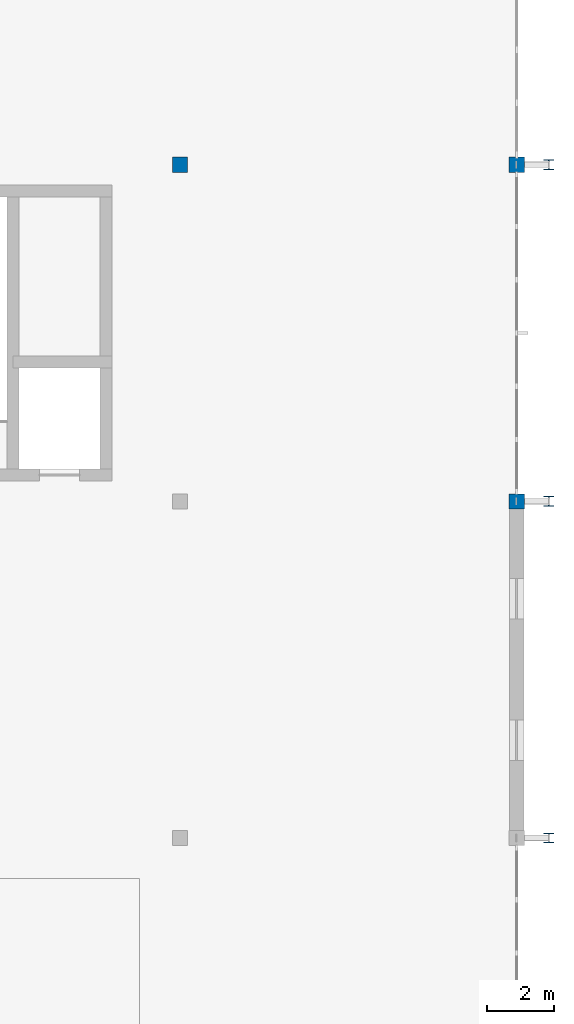
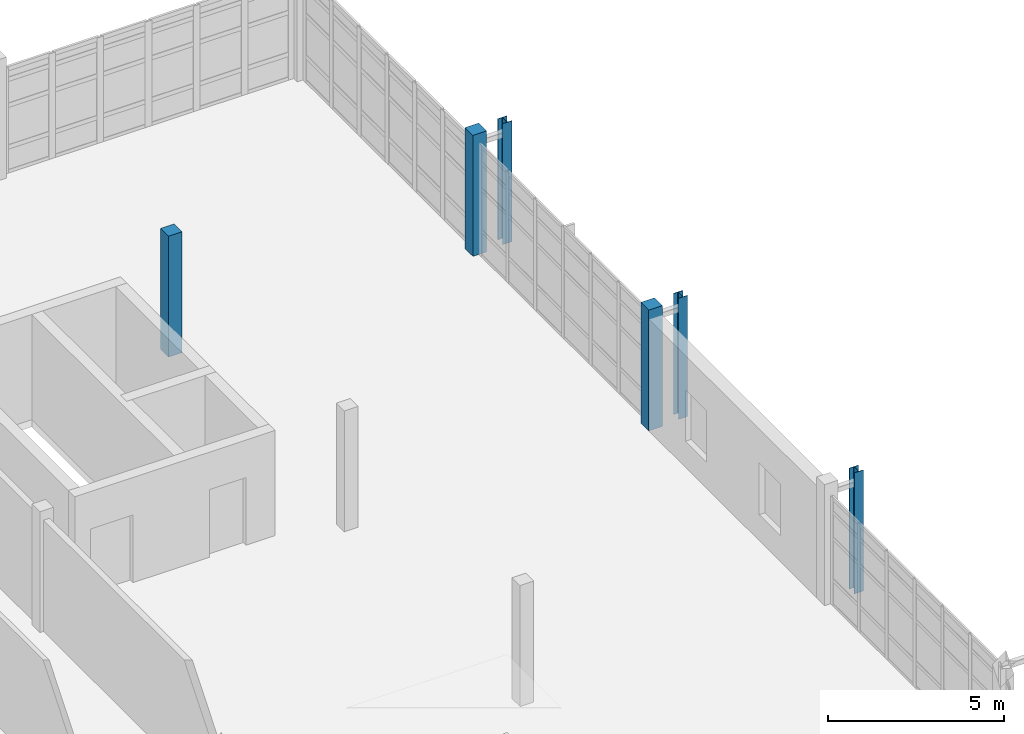
# One storey, part 18 of 122: 6 columns.
"""IFC4 building model written with IfcOpenShell, lengths in metres."""

from ifc_helpers import new_model, si_unit, direction, frame, origin, origin_2d, place, context, subcontext, project, spatial, rectangle, i_section, extrude, material, material_profile, profile_set, type_object, element, save


model = new_model("IFC4")

# Units and contexts
model_context = context("Model", 3, precision=1e-05, world=origin(), true_north=direction((0.0, 1.0)))
body_context = subcontext(model_context, "Body", "Model", "MODEL_VIEW")
ifc_project = project(units=[si_unit("LENGTHUNIT", "METRE"), si_unit("AREAUNIT", "SQUARE_METRE"), si_unit("VOLUMEUNIT", "CUBIC_METRE"), si_unit("PLANEANGLEUNIT", "RADIAN"), si_unit("MASSUNIT", "GRAM", prefix="KILO"), si_unit("THERMODYNAMICTEMPERATUREUNIT", "KELVIN"), si_unit("POWERUNIT", "WATT")], contexts=[model_context])

# Site, building, storey
site_placement = place(None, origin())
site = spatial("IfcSite", under=ifc_project, at=site_placement, CompositionType="ELEMENT")
building_placement = place(site_placement, origin())
building = spatial("IfcBuilding", under=site, at=building_placement, Name="Korenveer Ferry Terminal", CompositionType="ELEMENT")
storey_placement = place(building_placement, frame((0.0, 0.0, 10.199951171875)))
storey = spatial("IfcBuildingStorey", under=building, at=storey_placement, Name="L02", CompositionType="ELEMENT", Elevation=10.199951171875)

# Columns
ifc_material_1 = material(Name="Concrete C45/55", Category="concrete")
ifc_material_profile_1 = material_profile(ifc_material_1, rectangle(XDim=0.449951171875, YDim=0.449951171875, at=origin_2d()), Name="RC 450x450")
ifc_profile_set_1 = profile_set([ifc_material_profile_1], Name="Concrete C45/55")
column_type_1 = type_object("IfcColumnType", Name="STR-COL-RC450", PredefinedType="COLUMN", material=ifc_profile_set_1)
for number, where, z_axis, x_axis, name in (
    (1, (166.0, 70.0, 0.0), (0.0, 0.0, 1.0), (1.0, 0.0, 0.0), "Column COL-L02-X166-Y70"),
    (2, (176.0, 60.0, 0.0), (0.0, 0.0, 1.0), (1.0, 0.0, 0.0), "Column COL-L02-X176-Y60"),
    (3, (176.0, 70.0, 0.0), (0.0, 0.0, 1.0), (1.0, 0.0, 0.0), "Column COL-L02-X176-Y70"),
):
    element("IfcColumn", number, at=place(storey_placement, frame(where, z_axis=z_axis, x_axis=x_axis)), inside=storey, type_object=column_type_1, Name=name, PredefinedType="COLUMN", context=body_context, shape_type="SweptSolid", body=[
        extrude(rectangle(XDim=0.449951171875, YDim=0.449951171875, at=origin_2d()), origin(), (0.0, 0.0, 1.0), 4.199951171875),
    ])
ifc_material_2 = material(Name="Steel S355", Category="steel")
ifc_material_profile_2 = material_profile(ifc_material_2, i_section(OverallWidth=0.300048828125, OverallDepth=0.2900390625, WebThickness=0.008544921875, FlangeThickness=0.013916015625, FilletRadius=0.027099609375, at=origin_2d()), Name="HEA 300")
ifc_profile_set_2 = profile_set([ifc_material_profile_2], Name="Steel S355")
column_type_2 = type_object("IfcColumnType", Name="STR-PIL-BRICK450", PredefinedType="PILASTER", material=ifc_profile_set_2)
for number, where, z_axis, x_axis, name in (
    (4, (176.949951171875, 50.0, 0.0), (0.0, 0.0, 1.0), (1.0, 0.0, 0.0), "Buttress pilaster 30"),
    (5, (176.949951171875, 60.0, 0.0), (0.0, 0.0, 1.0), (1.0, 0.0, 0.0), "Buttress pilaster 33"),
    (6, (176.949951171875, 70.0, 0.0), (0.0, 0.0, 1.0), (1.0, 0.0, 0.0), "Buttress pilaster 36"),
):
    element("IfcColumn", number, at=place(storey_placement, frame(where, z_axis=z_axis, x_axis=x_axis)), inside=storey, type_object=column_type_2, Name=name, PredefinedType="PILASTER", context=body_context, shape_type="SweptSolid", body=[
        extrude(i_section(OverallWidth=0.300048828125, OverallDepth=0.2900390625, WebThickness=0.008544921875, FlangeThickness=0.013916015625, FilletRadius=0.027099609375, at=origin_2d()), origin(), (0.0, 0.0, 1.0), 4.199951171875),
    ])

save(model, "model.ifc")
